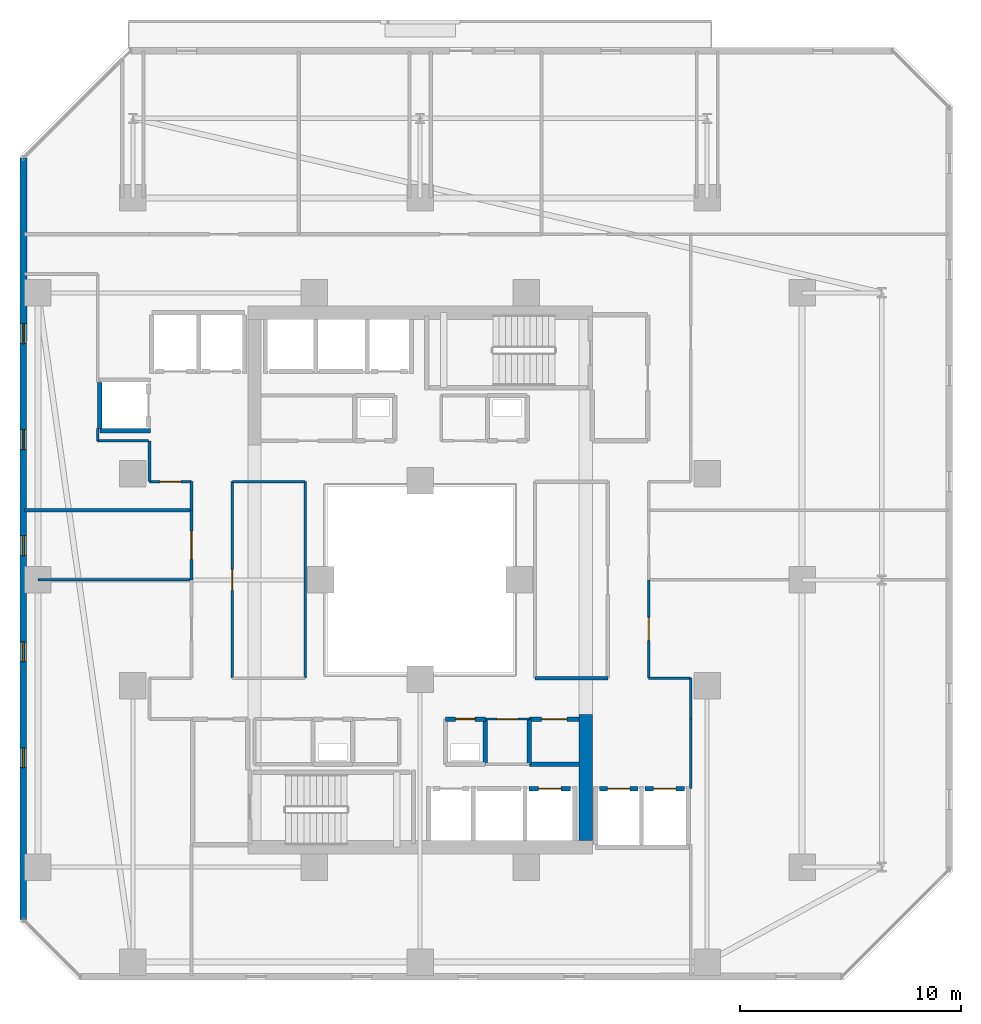
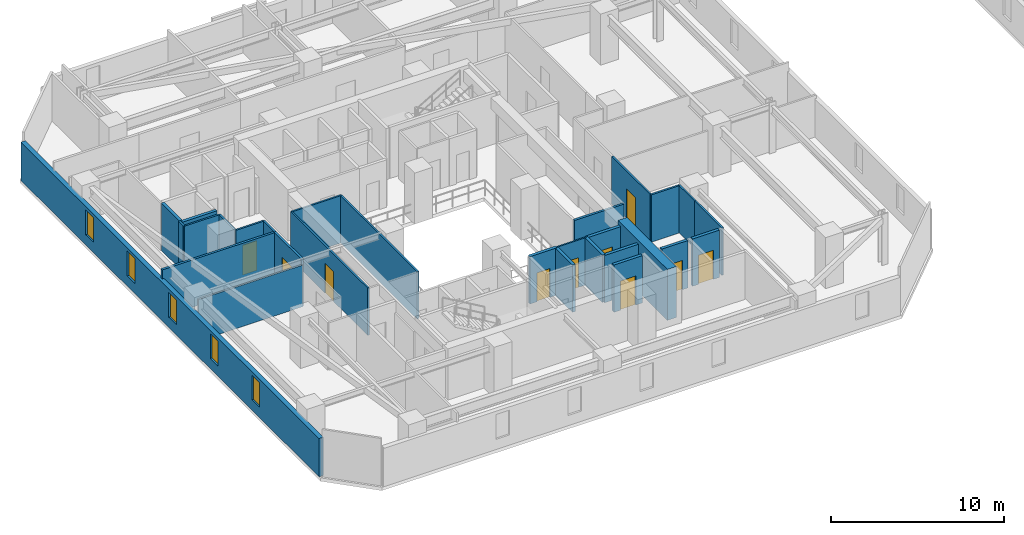
# One storey, part 17 of 31: 29 walls, 10 doors, 5 windows, 15 openings.
"""IFC4 building model written with IfcOpenShell, lengths in metres."""

from ifc_helpers import new_model, si_unit, direction, frame, frame_2d, origin, place, context, subcontext, project, spatial, rectangle, extrude, material, layer, layer_set, type_object, element, fill, save


model = new_model("IFC4")

# Units and contexts
model_context = context("Model", 3, precision=1e-05, world=origin(), true_north=direction((0.0, 1.0)))
body_context = subcontext(model_context, "Body", "Model", "MODEL_VIEW")
ifc_project = project(units=[si_unit("LENGTHUNIT", "METRE"), si_unit("AREAUNIT", "SQUARE_METRE"), si_unit("VOLUMEUNIT", "CUBIC_METRE"), si_unit("PLANEANGLEUNIT", "RADIAN"), si_unit("MASSUNIT", "GRAM", prefix="KILO")], contexts=[model_context])

# Site, building, storey
site_placement = place(None, origin())
site = spatial("IfcSite", under=ifc_project, at=site_placement, CompositionType="ELEMENT")
building_placement = place(site_placement, origin())
building = spatial("IfcBuilding", under=site, at=building_placement, Name="Thornwick Lancets Civic Towers", CompositionType="ELEMENT")
storey_placement = place(building_placement, frame((0.0, 0.0, 90.89990234375)))
storey = spatial("IfcBuildingStorey", under=building, at=storey_placement, Name="L23", CompositionType="ELEMENT", Elevation=90.89990234375)

# Wall, opening, door
ifc_material_1 = material(Name="Concrete blockwork C40/50", Category="masonry")
ifc_layer_1 = layer(ifc_material_1, 0.199951171875, Name="Concrete blockwork C40/50")
ifc_layer_set_1 = layer_set([ifc_layer_1], Name="Concrete blockwork C40/50")
wall_type_1 = type_object("IfcWallType", Name="WALL_COMP_200", PredefinedType="STANDARD", material=ifc_layer_set_1)
wall_1_placement = place(storey_placement, frame((30.429931640625, 17.550048828125, 0.0), z_axis=(0.0, 0.0, 1.0), x_axis=(1.0, 0.0, 0.0)))
wall_1 = element("IfcWall", 1, at=wall_1_placement, inside=storey, type_object=wall_type_1, Name="L23 Hoistway Front Wall PL-AL1", PredefinedType="STANDARD", context=body_context, shape_type="SweptSolid", body=[
    extrude(rectangle(XDim=1.89013671875, YDim=0.199951171875, at=frame_2d((0.945068359375, 0.0))), origin(), (0.0, 0.0, 1.0), 3.340087890625),
])
opening_1_placement = place(wall_1_placement, frame((0.43505859375, 0.0, 0.0)))
opening_1 = element("IfcOpeningElement", 2, at=opening_1_placement, cuts=wall_1, Name="Opening LD-PL-AL1", PredefinedType="OPENING", context=body_context, shape_type="SweptSolid", body=[
    extrude(rectangle(XDim=1.02001953125, YDim=2.06005859375, at=frame_2d((0.510009765625, 1.030029296875))), frame((0.0, 0.10986328125, 0.0), z_axis=(0.0, -1.0, 0.0), x_axis=(1.0, 0.0, 0.0)), (0.0, 0.0, 1.0), 0.219970703125),
])
ifc_material_2 = material(Name="Brushed bronze stainless steel", Category="steel")
door_type_1 = type_object("IfcDoorType", Name="DOOR_LIFT_SLIDE", OperationType="SLIDING_TO_LEFT", PredefinedType="DOOR", material=ifc_material_2)
door_1_placement = place(opening_1_placement, origin())
door_1 = element("IfcDoor", 3, at=door_1_placement, inside=storey, type_object=door_type_1, Name="L23 Sliding Lift Landing Door LD-PL-AL1", OperationType="SLIDING_TO_LEFT", OverallHeight=2.06005859375, OverallWidth=1.02001953125, PredefinedType="DOOR", context=body_context, shape_type="SweptSolid", body=[
    extrude(rectangle(XDim=1.02001953125, YDim=2.06005859375, at=frame_2d((0.510009765625, 1.030029296875))), frame((0.0, 0.02490234375, 0.0), z_axis=(0.0, -1.0, 0.0), x_axis=(1.0, 0.0, 0.0)), (0.0, 0.0, 1.0), 0.050048828125),
])
fill(opening_1, door_1)

wall_2_placement = place(storey_placement, frame((33.6298828125, 17.550048828125, 0.0), z_axis=(0.0, 0.0, 1.0), x_axis=(1.0, 0.0, 0.0)))
wall_2 = element("IfcWall", 4, at=wall_2_placement, inside=storey, type_object=wall_type_1, Name="L23 Hoistway Front Wall PL-AL2", PredefinedType="STANDARD", context=body_context, shape_type="SweptSolid", body=[
    extrude(rectangle(XDim=1.740234375, YDim=0.199951171875, at=frame_2d((0.8701171875, 0.0))), origin(), (0.0, 0.0, 1.0), 3.340087890625),
])
opening_2_placement = place(wall_2_placement, frame((0.360107421875, 0.0, 0.0)))
opening_2 = element("IfcOpeningElement", 5, at=opening_2_placement, cuts=wall_2, Name="Opening LD-PL-AL2", PredefinedType="OPENING", context=body_context, shape_type="SweptSolid", body=[
    extrude(rectangle(XDim=1.02001953125, YDim=2.06005859375, at=frame_2d((0.510009765625, 1.030029296875))), frame((0.0, 0.10986328125, 0.0), z_axis=(0.0, -1.0, 0.0), x_axis=(1.0, 0.0, 0.0)), (0.0, 0.0, 1.0), 0.219970703125),
])
door_2_placement = place(opening_2_placement, origin())
door_2 = element("IfcDoor", 6, at=door_2_placement, inside=storey, type_object=door_type_1, Name="L23 Sliding Lift Landing Door LD-PL-AL2", OperationType="SLIDING_TO_LEFT", OverallHeight=2.06005859375, OverallWidth=1.02001953125, PredefinedType="DOOR", context=body_context, shape_type="SweptSolid", body=[
    extrude(rectangle(XDim=1.02001953125, YDim=2.06005859375, at=frame_2d((0.510009765625, 1.030029296875))), frame((0.0, 0.02490234375, 0.0), z_axis=(0.0, -1.0, 0.0), x_axis=(1.0, 0.0, 0.0)), (0.0, 0.0, 1.0), 0.050048828125),
])
fill(opening_2, door_2)

wall_3_placement = place(storey_placement, frame((35.679931640625, 17.550048828125, 0.0), z_axis=(0.0, 0.0, 1.0), x_axis=(1.0, 0.0, 0.0)))
wall_3 = element("IfcWall", 7, at=wall_3_placement, inside=storey, type_object=wall_type_1, Name="L23 Hoistway Front Wall PL-AL3", PredefinedType="STANDARD", context=body_context, shape_type="SweptSolid", body=[
    extrude(rectangle(XDim=1.7900390625, YDim=0.199951171875, at=frame_2d((0.89501953125, 0.0))), origin(), (0.0, 0.0, 1.0), 3.340087890625),
])
opening_3_placement = place(wall_3_placement, frame((0.385009765625, 0.0, 0.0)))
opening_3 = element("IfcOpeningElement", 8, at=opening_3_placement, cuts=wall_3, Name="Opening LD-PL-AL3", PredefinedType="OPENING", context=body_context, shape_type="SweptSolid", body=[
    extrude(rectangle(XDim=1.02001953125, YDim=2.06005859375, at=frame_2d((0.510009765625, 1.030029296875))), frame((0.0, 0.10986328125, 0.0), z_axis=(0.0, -1.0, 0.0), x_axis=(1.0, 0.0, 0.0)), (0.0, 0.0, 1.0), 0.219970703125),
])
door_3_placement = place(opening_3_placement, origin())
door_3 = element("IfcDoor", 9, at=door_3_placement, inside=storey, type_object=door_type_1, Name="L23 Sliding Lift Landing Door LD-PL-AL3", OperationType="SLIDING_TO_LEFT", OverallHeight=2.06005859375, OverallWidth=1.02001953125, PredefinedType="DOOR", context=body_context, shape_type="SweptSolid", body=[
    extrude(rectangle(XDim=1.02001953125, YDim=2.06005859375, at=frame_2d((0.510009765625, 1.030029296875))), frame((0.0, 0.02490234375, 0.0), z_axis=(0.0, -1.0, 0.0), x_axis=(1.0, 0.0, 0.0)), (0.0, 0.0, 1.0), 0.050048828125),
])
fill(opening_3, door_3)

# Walls
wall_4_placement = place(storey_placement, frame((11.001953125, 33.75, 0.0), z_axis=(0.0, 0.0, 1.0), x_axis=(1.0, 0.0, 0.0)))
element("IfcWall", 10, at=wall_4_placement, inside=storey, type_object=wall_type_1, Name="L23 Hoistway Shaft Wall PL-AM3 S", PredefinedType="STANDARD", context=body_context, shape_type="SweptSolid", body=[
    extrude(rectangle(XDim=2.296142578125, YDim=0.199951171875, at=frame_2d((1.14794921875, 0.0))), origin(), (0.0, 0.0, 1.0), 3.340087890625),
])
wall_5_placement = place(storey_placement, frame((11.0, 33.862060546875, 0.0), z_axis=(0.0, 0.0, 1.0), x_axis=(0.0, 1.0, 0.0)))
element("IfcWall", 11, at=wall_5_placement, inside=storey, type_object=wall_type_1, Name="L23 Hoistway Shaft Wall PL-AM3 W", PredefinedType="STANDARD", context=body_context, shape_type="SweptSolid", body=[
    extrude(rectangle(XDim=2.075927734375, YDim=0.199951171875, at=frame_2d((1.0380859375, 0.0))), origin(), (0.0, 0.0, 1.0), 3.340087890625),
])
wall_6_placement = place(storey_placement, frame((28.449951171875, 18.64990234375, 0.0), z_axis=(0.0, 0.0, 1.0), x_axis=(0.0, 1.0, 0.0)))
element("IfcWall", 12, at=wall_6_placement, inside=storey, type_object=wall_type_1, Name="L23 Partition L23-A-DUCT1 E2", PredefinedType="STANDARD", context=body_context, shape_type="SweptSolid", body=[
    extrude(rectangle(XDim=2.050048828125, YDim=0.199951171875, at=frame_2d((1.02490234375, 0.0))), origin(), (0.0, 0.0, 1.0), 3.340087890625),
])

# Wall, opening, door
wall_7_placement = place(storey_placement, frame((28.449951171875, 20.699951171875, 0.0), z_axis=(0.0, 0.0, 1.0), x_axis=(-1.0, 0.0, 0.0)))
wall_7 = element("IfcWall", 13, at=wall_7_placement, inside=storey, type_object=wall_type_1, Name="L23 Partition L23-A-DUCT1 E3", PredefinedType="STANDARD", context=body_context, shape_type="SweptSolid", body=[
    extrude(rectangle(XDim=1.800048828125, YDim=0.199951171875, at=frame_2d((0.89990234375, 0.0))), origin(), (0.0, 0.0, 1.0), 3.340087890625),
])
opening_4_placement = place(wall_7_placement, frame((0.4599609375, 0.0, 0.0)))
opening_4 = element("IfcOpeningElement", 14, at=opening_4_placement, cuts=wall_7, Name="Opening D-L23-1059", PredefinedType="OPENING", context=body_context, shape_type="SweptSolid", body=[
    extrude(rectangle(XDim=0.8798828125, YDim=2.0400390625, at=frame_2d((0.43994140625, 1.02001953125))), frame((0.0, 0.10986328125, 0.0), z_axis=(0.0, -1.0, 0.0), x_axis=(1.0, 0.0, 0.0)), (0.0, 0.0, 1.0), 0.219970703125),
])
ifc_material_3 = material(Name="Steel riser access doorset", Category="steel")
door_type_2 = type_object("IfcDoorType", Name="DOOR_RISER_850", OperationType="NOTDEFINED", PredefinedType="DOOR", material=ifc_material_3)
door_4_placement = place(opening_4_placement, origin())
door_4 = element("IfcDoor", 15, at=door_4_placement, inside=storey, type_object=door_type_2, Name="L23 South Service Duct 1 Door", OperationType="SINGLE_SWING_RIGHT", OverallHeight=2.0400390625, OverallWidth=0.8798828125, PredefinedType="DOOR", context=body_context, shape_type="SweptSolid", body=[
    extrude(rectangle(XDim=0.8798828125, YDim=2.0400390625, at=frame_2d((0.43994140625, 1.02001953125))), frame((0.0, 0.02490234375, 0.0), z_axis=(0.0, -1.0, 0.0), x_axis=(1.0, 0.0, 0.0)), (0.0, 0.0, 1.0), 0.050048828125),
])
fill(opening_4, door_4)

# Walls
wall_8_placement = place(storey_placement, frame((32.699951171875, 18.64990234375, 0.0), z_axis=(0.0, 0.0, 1.0), x_axis=(-1.0, 0.0, 0.0)))
element("IfcWall", 16, at=wall_8_placement, inside=storey, type_object=wall_type_1, Name="L23 Partition L23-A-ITR2 E2", PredefinedType="STANDARD", context=body_context, shape_type="SweptSolid", body=[
    extrude(rectangle(XDim=2.25, YDim=0.199951171875, at=frame_2d((1.125, 0.0))), origin(), (0.0, 0.0, 1.0), 3.340087890625),
])
wall_9_placement = place(storey_placement, frame((30.449951171875, 18.64990234375, 0.0), z_axis=(0.0, 0.0, 1.0), x_axis=(0.0, 1.0, 0.0)))
element("IfcWall", 17, at=wall_9_placement, inside=storey, type_object=wall_type_1, Name="L23 Partition L23-A-ITR2 E3", PredefinedType="STANDARD", context=body_context, shape_type="SweptSolid", body=[
    extrude(rectangle(XDim=2.050048828125, YDim=0.199951171875, at=frame_2d((1.02490234375, 0.0))), origin(), (0.0, 0.0, 1.0), 3.340087890625),
])

# Wall, opening, door
wall_10_placement = place(storey_placement, frame((30.449951171875, 20.699951171875, 0.0), z_axis=(0.0, 0.0, 1.0), x_axis=(1.0, 0.0, 0.0)))
wall_10 = element("IfcWall", 18, at=wall_10_placement, inside=storey, type_object=wall_type_1, Name="L23 Partition L23-A-ITR2 E4", PredefinedType="STANDARD", context=body_context, shape_type="SweptSolid", body=[
    extrude(rectangle(XDim=2.25, YDim=0.199951171875, at=frame_2d((1.125, 0.0))), origin(), (0.0, 0.0, 1.0), 3.340087890625),
])
opening_5_placement = place(wall_10_placement, frame((0.550048828125, 0.0, 0.0)))
opening_5 = element("IfcOpeningElement", 19, at=opening_5_placement, cuts=wall_10, Name="Opening D-L23-1066", PredefinedType="OPENING", context=body_context, shape_type="SweptSolid", body=[
    extrude(rectangle(XDim=1.14990234375, YDim=2.10009765625, at=frame_2d((0.574951171875, 1.050048828125))), frame((0.0, 0.10986328125, 0.0), z_axis=(0.0, -1.0, 0.0), x_axis=(1.0, 0.0, 0.0)), (0.0, 0.0, 1.0), 0.219970703125),
])
ifc_material_4 = material(Name="Glazed fire-resisting steel", Category="steel")
door_type_3 = type_object("IfcDoorType", Name="DOOR_LOBBY_FD60", OperationType="NOTDEFINED", PredefinedType="DOOR", material=ifc_material_4)
door_5_placement = place(opening_5_placement, origin())
door_5 = element("IfcDoor", 20, at=door_5_placement, inside=storey, type_object=door_type_3, Name="L23 Tower A Statutory Core Archive Door", OperationType="SINGLE_SWING_LEFT", OverallHeight=2.10009765625, OverallWidth=1.14990234375, PredefinedType="DOOR", context=body_context, shape_type="SweptSolid", body=[
    extrude(rectangle(XDim=1.14990234375, YDim=2.10009765625, at=frame_2d((0.574951171875, 1.050048828125))), frame((0.0, 0.02490234375, 0.0), z_axis=(0.0, -1.0, 0.0), x_axis=(1.0, 0.0, 0.0)), (0.0, 0.0, 1.0), 0.050048828125),
])
fill(opening_5, door_5)

# Wall
ifc_material_5 = material(Name="Concrete C60/75", Category="concrete")
ifc_layer_2 = layer(ifc_material_5, 0.60009765625, Name="Concrete C60/75")
ifc_layer_set_2 = layer_set([ifc_layer_2], Name="Concrete C60/75")
wall_type_2 = type_object("IfcWallType", Name="WALL_CORE_600", PredefinedType="SHEAR", material=ifc_layer_set_2)
wall_11_placement = place(storey_placement, frame((33.0, 15.199951171875, 0.0), z_axis=(0.0, 0.0, 1.0), x_axis=(0.0, 1.0, 0.0)))
element("IfcWall", 21, at=wall_11_placement, inside=storey, type_object=wall_type_2, Name="L23 Split Core A1 Shear Wall E", PredefinedType="SHEAR", context=body_context, shape_type="SweptSolid", body=[
    extrude(rectangle(XDim=5.699951171875, YDim=0.60009765625, at=frame_2d((2.85009765625, 0.0))), origin(), (0.0, 0.0, 1.0), 3.60009765625),
])

# Wall, openings, windows
ifc_material_6 = material(Name="Insulated russet terracotta rainscreen on concrete C40/50", Category="masonry")
ifc_layer_3 = layer(ifc_material_6, 0.300048828125, Name="Insulated russet terracotta rainscreen on concrete C40/50")
ifc_layer_set_3 = layer_set([ifc_layer_3], Name="Insulated russet terracotta rainscreen on concrete C40/50")
wall_type_3 = type_object("IfcWallType", Name="WALL_EXT_RUSSET_300", PredefinedType="STANDARD", material=ifc_layer_set_3)
wall_12_placement = place(storey_placement, frame((7.542724609375, 46.099365234375, 0.0), z_axis=(0.0, 0.0, 1.0), x_axis=(-0.000212414941, -0.99999997744, 0.0)))
wall_12 = element("IfcWall", 22, at=wall_12_placement, inside=storey, type_object=wall_type_3, Name="L23 Tower A Terracotta Facade Wall E6", PredefinedType="STANDARD", context=body_context, shape_type="SweptSolid", body=[
    extrude(rectangle(XDim=34.480712890625, YDim=0.300048828125, at=frame_2d((17.240234375, 0.0))), origin(), (0.0, 0.0, 1.0), 2.7001953125),
])
opening_6_placement = place(wall_12_placement, frame((7.5, 0.0, 0.719970703125)))
opening_6 = element("IfcOpeningElement", 23, at=opening_6_placement, cuts=wall_12, Name="Opening WL-01", PredefinedType="OPENING", context=body_context, shape_type="SweptSolid", body=[
    extrude(rectangle(XDim=0.89990234375, YDim=1.75, at=frame_2d((0.449951171875, 0.875))), frame((0.0, 0.16015625, 0.0), z_axis=(0.0, -1.0, 0.0), x_axis=(1.0, 0.0, 0.0)), (0.0, 0.0, 1.0), 0.320068359375),
])
opening_7_placement = place(wall_12_placement, frame((12.300048828125, 0.0, 0.719970703125)))
opening_7 = element("IfcOpeningElement", 24, at=opening_7_placement, cuts=wall_12, Name="Opening WL-01", PredefinedType="OPENING", context=body_context, shape_type="SweptSolid", body=[
    extrude(rectangle(XDim=0.89990234375, YDim=1.75, at=frame_2d((0.449951171875, 0.875))), frame((0.0, 0.16015625, 0.0), z_axis=(0.0, -1.0, 0.0), x_axis=(1.0, 0.0, 0.0)), (0.0, 0.0, 1.0), 0.320068359375),
])
opening_8_placement = place(wall_12_placement, frame((17.10009765625, 0.0, 0.719970703125)))
opening_8 = element("IfcOpeningElement", 25, at=opening_8_placement, cuts=wall_12, Name="Opening WL-01", PredefinedType="OPENING", context=body_context, shape_type="SweptSolid", body=[
    extrude(rectangle(XDim=0.89990234375, YDim=1.75, at=frame_2d((0.449951171875, 0.875))), frame((0.0, 0.16015625, 0.0), z_axis=(0.0, -1.0, 0.0), x_axis=(1.0, 0.0, 0.0)), (0.0, 0.0, 1.0), 0.320068359375),
])
opening_9_placement = place(wall_12_placement, frame((21.89990234375, 0.0, 0.719970703125)))
opening_9 = element("IfcOpeningElement", 26, at=opening_9_placement, cuts=wall_12, Name="Opening WL-01", PredefinedType="OPENING", context=body_context, shape_type="SweptSolid", body=[
    extrude(rectangle(XDim=0.89990234375, YDim=1.75, at=frame_2d((0.449951171875, 0.875))), frame((0.0, 0.16015625, 0.0), z_axis=(0.0, -1.0, 0.0), x_axis=(1.0, 0.0, 0.0)), (0.0, 0.0, 1.0), 0.320068359375),
])
opening_10_placement = place(wall_12_placement, frame((26.699951171875, 0.0, 0.719970703125)))
opening_10 = element("IfcOpeningElement", 27, at=opening_10_placement, cuts=wall_12, Name="Opening WL-01", PredefinedType="OPENING", context=body_context, shape_type="SweptSolid", body=[
    extrude(rectangle(XDim=0.89990234375, YDim=1.75, at=frame_2d((0.449951171875, 0.875))), frame((0.0, 0.16015625, 0.0), z_axis=(0.0, -1.0, 0.0), x_axis=(1.0, 0.0, 0.0)), (0.0, 0.0, 1.0), 0.320068359375),
])
ifc_material_7 = material(Name="Clear low-e double glazing in bronze frame", Category="glass")
window_type = type_object("IfcWindowType", Name="WIN_LANCET_900", PartitioningType="SINGLE_PANEL", PredefinedType="WINDOW", material=ifc_material_7)
window_1_placement = place(opening_6_placement, origin())
window_1 = element("IfcWindow", 28, at=window_1_placement, inside=storey, type_object=window_type, Name="L23 Tower A Staggered Lancet Window E6-1", OverallHeight=1.75, OverallWidth=0.89990234375, PartitioningType="SINGLE_PANEL", PredefinedType="WINDOW", context=body_context, shape_type="SweptSolid", body=[
    extrude(rectangle(XDim=0.89990234375, YDim=1.75, at=frame_2d((0.449951171875, 0.875))), frame((0.0, 0.030029296875, 0.0), z_axis=(0.0, -1.0, 0.0), x_axis=(1.0, 0.0, 0.0)), (0.0, 0.0, 1.0), 0.06005859375),
])
fill(opening_6, window_1)
window_2_placement = place(opening_7_placement, origin())
window_2 = element("IfcWindow", 29, at=window_2_placement, inside=storey, type_object=window_type, Name="L23 Tower A Staggered Lancet Window E6-2", OverallHeight=1.75, OverallWidth=0.89990234375, PartitioningType="SINGLE_PANEL", PredefinedType="WINDOW", context=body_context, shape_type="SweptSolid", body=[
    extrude(rectangle(XDim=0.89990234375, YDim=1.75, at=frame_2d((0.449951171875, 0.875))), frame((0.0, 0.030029296875, 0.0), z_axis=(0.0, -1.0, 0.0), x_axis=(1.0, 0.0, 0.0)), (0.0, 0.0, 1.0), 0.06005859375),
])
fill(opening_7, window_2)
window_3_placement = place(opening_8_placement, origin())
window_3 = element("IfcWindow", 30, at=window_3_placement, inside=storey, type_object=window_type, Name="L23 Tower A Staggered Lancet Window E6-3", OverallHeight=1.75, OverallWidth=0.89990234375, PartitioningType="SINGLE_PANEL", PredefinedType="WINDOW", context=body_context, shape_type="SweptSolid", body=[
    extrude(rectangle(XDim=0.89990234375, YDim=1.75, at=frame_2d((0.449951171875, 0.875))), frame((0.0, 0.030029296875, 0.0), z_axis=(0.0, -1.0, 0.0), x_axis=(1.0, 0.0, 0.0)), (0.0, 0.0, 1.0), 0.06005859375),
])
fill(opening_8, window_3)
window_4_placement = place(opening_9_placement, origin())
window_4 = element("IfcWindow", 31, at=window_4_placement, inside=storey, type_object=window_type, Name="L23 Tower A Staggered Lancet Window E6-4", OverallHeight=1.75, OverallWidth=0.89990234375, PartitioningType="SINGLE_PANEL", PredefinedType="WINDOW", context=body_context, shape_type="SweptSolid", body=[
    extrude(rectangle(XDim=0.89990234375, YDim=1.75, at=frame_2d((0.449951171875, 0.875))), frame((0.0, 0.030029296875, 0.0), z_axis=(0.0, -1.0, 0.0), x_axis=(1.0, 0.0, 0.0)), (0.0, 0.0, 1.0), 0.06005859375),
])
fill(opening_9, window_4)
window_5_placement = place(opening_10_placement, origin())
window_5 = element("IfcWindow", 32, at=window_5_placement, inside=storey, type_object=window_type, Name="L23 Tower A Staggered Lancet Window E6-5", OverallHeight=1.75, OverallWidth=0.89990234375, PartitioningType="SINGLE_PANEL", PredefinedType="WINDOW", context=body_context, shape_type="SweptSolid", body=[
    extrude(rectangle(XDim=0.89990234375, YDim=1.75, at=frame_2d((0.449951171875, 0.875))), frame((0.0, 0.030029296875, 0.0), z_axis=(0.0, -1.0, 0.0), x_axis=(1.0, 0.0, 0.0)), (0.0, 0.0, 1.0), 0.06005859375),
])
fill(opening_10, window_5)

# Wall, opening, door
ifc_material_8 = material(Name="Lightweight cellular office partition")
ifc_layer_4 = layer(ifc_material_8, 0.10009765625, Name="Lightweight cellular office partition")
ifc_layer_set_4 = layer_set([ifc_layer_4], Name="Lightweight cellular office partition")
wall_type_4 = type_object("IfcWallType", Name="WALL_PART_100", PredefinedType="PARTITIONING", material=ifc_layer_set_4)
wall_13_placement = place(storey_placement, frame((28.449951171875, 20.699951171875, 0.0), z_axis=(0.0, 0.0, 1.0), x_axis=(1.0, 0.0, 0.0)))
wall_13 = element("IfcWall", 33, at=wall_13_placement, inside=storey, type_object=wall_type_4, Name="L23 Partition L23-A-CLN E4", PredefinedType="PARTITIONING", context=body_context, shape_type="SweptSolid", body=[
    extrude(rectangle(XDim=2.0, YDim=0.10009765625, at=frame_2d((1.0, 0.0))), origin(), (0.0, 0.0, 1.0), 3.340087890625),
])
opening_11_placement = place(wall_13_placement, frame((0.52490234375, 0.0, 0.0)))
opening_11 = element("IfcOpeningElement", 34, at=opening_11_placement, cuts=wall_13, Name="Opening D-L23-1065", PredefinedType="OPENING", context=body_context, shape_type="SweptSolid", body=[
    extrude(rectangle(XDim=0.949951171875, YDim=2.10009765625, at=frame_2d((0.47509765625, 1.050048828125))), frame((0.0, 0.06005859375, 0.0), z_axis=(0.0, -1.0, 0.0), x_axis=(1.0, 0.0, 0.0)), (0.0, 0.0, 1.0), 0.1201171875),
])
ifc_material_9 = material(Name="European oak acoustic doorset")
door_type_4 = type_object("IfcDoorType", Name="DOOR_OFFICE_950", OperationType="NOTDEFINED", PredefinedType="DOOR", material=ifc_material_9)
door_6_placement = place(opening_11_placement, origin())
door_6 = element("IfcDoor", 35, at=door_6_placement, inside=storey, type_object=door_type_4, Name="L23 Tower A Cleaners Store Door", OperationType="SINGLE_SWING_RIGHT", OverallHeight=2.10009765625, OverallWidth=0.949951171875, PredefinedType="DOOR", context=body_context, shape_type="SweptSolid", body=[
    extrude(rectangle(XDim=0.949951171875, YDim=2.10009765625, at=frame_2d((0.47509765625, 1.050048828125))), frame((0.0, 0.02490234375, 0.0), z_axis=(0.0, -1.0, 0.0), x_axis=(1.0, 0.0, 0.0)), (0.0, 0.0, 1.0), 0.050048828125),
])
fill(opening_11, door_6)

# Walls
ifc_material_10 = material(Name="Acoustic gypsum board partition")
ifc_layer_5 = layer(ifc_material_10, 0.1201171875, Name="Acoustic gypsum board partition")
ifc_layer_set_5 = layer_set([ifc_layer_5], Name="Acoustic gypsum board partition")
wall_type_5 = type_object("IfcWallType", Name="WALL_PART_120", PredefinedType="PARTITIONING", material=ifc_layer_set_5)
wall_14_placement = place(storey_placement, frame((8.199951171875, 27.0, 0.0), z_axis=(0.0, 0.0, 1.0), x_axis=(1.0, 0.0, 0.0)))
element("IfcWall", 36, at=wall_14_placement, inside=storey, type_object=wall_type_5, Name="L23 Partition L23-A-W1 E8", PredefinedType="PARTITIONING", context=body_context, shape_type="SweptSolid", body=[
    extrude(rectangle(XDim=6.949951171875, YDim=0.1201171875, at=frame_2d((3.47509765625, 0.0))), origin(), (0.0, 0.0, 1.0), 2.932373046875),
])
wall_15_placement = place(storey_placement, frame((10.89990234375, 33.300048828125, 0.0), z_axis=(0.0, 0.0, 1.0), x_axis=(1.0, 0.0, 0.0)))
element("IfcWall", 37, at=wall_15_placement, inside=storey, type_object=wall_type_5, Name="L23 Partition L23-A-W3 E1", PredefinedType="PARTITIONING", context=body_context, shape_type="SweptSolid", body=[
    extrude(rectangle(XDim=2.300048828125, YDim=0.1201171875, at=frame_2d((1.14990234375, 0.0))), origin(), (0.0, 0.0, 1.0), 3.340087890625),
])
wall_16_placement = place(storey_placement, frame((13.25, 33.300048828125, 0.0), z_axis=(0.0, 0.0, 1.0), x_axis=(0.0, -1.0, 0.0)))
element("IfcWall", 38, at=wall_16_placement, inside=storey, type_object=wall_type_5, Name="L23 Partition L23-A-W3 E3", PredefinedType="PARTITIONING", context=body_context, shape_type="SweptSolid", body=[
    extrude(rectangle(XDim=1.85009765625, YDim=0.1201171875, at=frame_2d((0.925048828125, 0.0))), origin(), (0.0, 0.0, 1.0), 3.340087890625),
])

# Wall, opening, door
wall_17_placement = place(storey_placement, frame((13.25, 31.449951171875, 0.0), z_axis=(0.0, 0.0, 1.0), x_axis=(1.0, 0.0, 0.0)))
wall_17 = element("IfcWall", 39, at=wall_17_placement, inside=storey, type_object=wall_type_5, Name="L23 Partition L23-A-W3 E4", PredefinedType="PARTITIONING", context=body_context, shape_type="SweptSolid", body=[
    extrude(rectangle(XDim=1.89990234375, YDim=0.1201171875, at=frame_2d((0.949951171875, 0.0))), origin(), (0.0, 0.0, 1.0), 3.340087890625),
])
opening_12_placement = place(wall_17_placement, frame((0.47509765625, 0.0, 0.0)))
opening_12 = element("IfcOpeningElement", 40, at=opening_12_placement, cuts=wall_17, Name="Opening D-L23-1083", PredefinedType="OPENING", context=body_context, shape_type="SweptSolid", body=[
    extrude(rectangle(XDim=0.949951171875, YDim=2.10009765625, at=frame_2d((0.47509765625, 1.050048828125))), frame((0.0, 0.070068359375, 0.0), z_axis=(0.0, -1.0, 0.0), x_axis=(1.0, 0.0, 0.0)), (0.0, 0.0, 1.0), 0.14013671875),
])
door_7_placement = place(opening_12_placement, origin())
door_7 = element("IfcDoor", 41, at=door_7_placement, inside=storey, type_object=door_type_4, Name="L23 Tower A Staff Tea Pantry and Lounge Door", OperationType="SINGLE_SWING_RIGHT", OverallHeight=2.10009765625, OverallWidth=0.949951171875, PredefinedType="DOOR", context=body_context, shape_type="SweptSolid", body=[
    extrude(rectangle(XDim=0.949951171875, YDim=2.10009765625, at=frame_2d((0.47509765625, 1.050048828125))), frame((0.0, 0.02490234375, 0.0), z_axis=(0.0, -1.0, 0.0), x_axis=(1.0, 0.0, 0.0)), (0.0, 0.0, 1.0), 0.050048828125),
])
fill(opening_12, door_7)

# Walls
wall_18_placement = place(storey_placement, frame((15.14990234375, 31.449951171875, 0.0), z_axis=(0.0, 0.0, 1.0), x_axis=(0.0, -1.0, 0.0)))
element("IfcWall", 42, at=wall_18_placement, inside=storey, type_object=wall_type_5, Name="L23 Partition L23-A-W3 E5", PredefinedType="PARTITIONING", context=body_context, shape_type="SweptSolid", body=[
    extrude(rectangle(XDim=1.300048828125, YDim=0.1201171875, at=frame_2d((0.64990234375, 0.0))), origin(), (0.0, 0.0, 1.0), 3.340087890625),
])
wall_19_placement = place(storey_placement, frame((10.89990234375, 33.862060546875, 0.0), z_axis=(0.0, 0.0, 1.0), x_axis=(0.0, -1.0, 0.0)))
element("IfcWall", 43, at=wall_19_placement, inside=storey, type_object=wall_type_5, Name="L23 Partition L23-A-W3 E13", PredefinedType="PARTITIONING", context=body_context, shape_type="SweptSolid", body=[
    extrude(rectangle(XDim=0.56201171875, YDim=0.1201171875, at=frame_2d((0.281005859375, 0.0))), origin(), (0.0, 0.0, 1.0), 3.340087890625),
])
wall_20_placement = place(storey_placement, frame((37.75, 17.550048828125, 0.0), z_axis=(0.0, 0.0, 1.0), x_axis=(0.0, 1.0, 0.0)))
element("IfcWall", 44, at=wall_20_placement, inside=storey, type_object=wall_type_5, Name="L23 Partition L23-A-E1 E1", PredefinedType="PARTITIONING", context=body_context, shape_type="SweptSolid", body=[
    extrude(rectangle(XDim=3.14990234375, YDim=0.1201171875, at=frame_2d((1.574951171875, 0.0))), origin(), (0.0, 0.0, 1.0), 3.340087890625),
])
wall_21_placement = place(storey_placement, frame((37.75, 20.699951171875, 0.0), z_axis=(0.0, 0.0, 1.0), x_axis=(0.0, 1.0, 0.0)))
element("IfcWall", 45, at=wall_21_placement, inside=storey, type_object=wall_type_5, Name="L23 Partition L23-A-E1 E2", PredefinedType="PARTITIONING", context=body_context, shape_type="SweptSolid", body=[
    extrude(rectangle(XDim=1.85009765625, YDim=0.1201171875, at=frame_2d((0.925048828125, 0.0))), origin(), (0.0, 0.0, 1.0), 3.340087890625),
])
wall_22_placement = place(storey_placement, frame((37.75, 22.550048828125, 0.0), z_axis=(0.0, 0.0, 1.0), x_axis=(-1.0, 0.0, 0.0)))
element("IfcWall", 46, at=wall_22_placement, inside=storey, type_object=wall_type_5, Name="L23 Partition L23-A-E1 E3", PredefinedType="PARTITIONING", context=body_context, shape_type="SweptSolid", body=[
    extrude(rectangle(XDim=1.89990234375, YDim=0.1201171875, at=frame_2d((0.949951171875, 0.0))), origin(), (0.0, 0.0, 1.0), 3.340087890625),
])

# Wall, opening, door
wall_23_placement = place(storey_placement, frame((35.85009765625, 22.550048828125, 0.0), z_axis=(0.0, 0.0, 1.0), x_axis=(0.0, 1.0, 0.0)))
wall_23 = element("IfcWall", 47, at=wall_23_placement, inside=storey, type_object=wall_type_5, Name="L23 Partition L23-A-E1 E4", PredefinedType="PARTITIONING", context=body_context, shape_type="SweptSolid", body=[
    extrude(rectangle(XDim=4.449951171875, YDim=0.1201171875, at=frame_2d((2.22509765625, 0.0))), origin(), (0.0, 0.0, 1.0), 3.340087890625),
])
opening_13_placement = place(wall_23_placement, frame((1.699951171875, 0.0, 0.0)))
opening_13 = element("IfcOpeningElement", 48, at=opening_13_placement, cuts=wall_23, Name="Opening D-L23-1084", PredefinedType="OPENING", context=body_context, shape_type="SweptSolid", body=[
    extrude(rectangle(XDim=1.050048828125, YDim=2.10009765625, at=frame_2d((0.52490234375, 1.050048828125))), frame((0.0, 0.070068359375, 0.0), z_axis=(0.0, -1.0, 0.0), x_axis=(1.0, 0.0, 0.0)), (0.0, 0.0, 1.0), 0.14013671875),
])
ifc_material_11 = material(Name="Glazed European oak executive doorset")
door_type_5 = type_object("IfcDoorType", Name="DOOR_OFFICE_1050", OperationType="NOTDEFINED", PredefinedType="DOOR", material=ifc_material_11)
door_8_placement = place(opening_13_placement, origin())
door_8 = element("IfcDoor", 49, at=door_8_placement, inside=storey, type_object=door_type_5, Name="L23 Tower A Secretariat Open Office E1 Door", OperationType="SINGLE_SWING_LEFT", OverallHeight=2.10009765625, OverallWidth=1.050048828125, PredefinedType="DOOR", context=body_context, shape_type="SweptSolid", body=[
    extrude(rectangle(XDim=1.050048828125, YDim=2.10009765625, at=frame_2d((0.52490234375, 1.050048828125))), frame((0.0, 0.02490234375, 0.0), z_axis=(0.0, -1.0, 0.0), x_axis=(1.0, 0.0, 0.0)), (0.0, 0.0, 1.0), 0.050048828125),
])
fill(opening_13, door_8)

wall_24_placement = place(storey_placement, frame((17.0, 22.550048828125, 0.0), z_axis=(0.0, 0.0, 1.0), x_axis=(0.0, 1.0, 0.0)))
wall_24 = element("IfcWall", 50, at=wall_24_placement, inside=storey, type_object=wall_type_5, Name="L23 Partition L23-A-ATR-W E1", PredefinedType="PARTITIONING", context=body_context, shape_type="SweptSolid", body=[
    extrude(rectangle(XDim=8.89990234375, YDim=0.1201171875, at=frame_2d((4.449951171875, 0.0))), origin(), (0.0, 0.0, 1.0), 3.340087890625),
])
opening_14_placement = place(wall_24_placement, frame((3.97509765625, 0.0, 0.0)))
opening_14 = element("IfcOpeningElement", 51, at=opening_14_placement, cuts=wall_24, Name="Opening D-L23-1088", PredefinedType="OPENING", context=body_context, shape_type="SweptSolid", body=[
    extrude(rectangle(XDim=0.949951171875, YDim=2.10009765625, at=frame_2d((0.47509765625, 1.050048828125))), frame((0.0, 0.070068359375, 0.0), z_axis=(0.0, -1.0, 0.0), x_axis=(1.0, 0.0, 0.0)), (0.0, 0.0, 1.0), 0.14013671875),
])
door_9_placement = place(opening_14_placement, origin())
door_9 = element("IfcDoor", 52, at=door_9_placement, inside=storey, type_object=door_type_4, Name="L23 Tower A West Atrium Study Lounge Door", OperationType="SINGLE_SWING_LEFT", OverallHeight=2.10009765625, OverallWidth=0.949951171875, PredefinedType="DOOR", context=body_context, shape_type="SweptSolid", body=[
    extrude(rectangle(XDim=0.949951171875, YDim=2.10009765625, at=frame_2d((0.47509765625, 1.050048828125))), frame((0.0, 0.02490234375, 0.0), z_axis=(0.0, -1.0, 0.0), x_axis=(1.0, 0.0, 0.0)), (0.0, 0.0, 1.0), 0.050048828125),
])
fill(opening_14, door_9)

# Walls
wall_25_placement = place(storey_placement, frame((17.0, 31.449951171875, 0.0), z_axis=(0.0, 0.0, 1.0), x_axis=(1.0, 0.0, 0.0)))
element("IfcWall", 53, at=wall_25_placement, inside=storey, type_object=wall_type_5, Name="L23 Partition L23-A-ATR-W E2", PredefinedType="PARTITIONING", context=body_context, shape_type="SweptSolid", body=[
    extrude(rectangle(XDim=3.300048828125, YDim=0.1201171875, at=frame_2d((1.64990234375, 0.0))), origin(), (0.0, 0.0, 1.0), 3.340087890625),
])
wall_26_placement = place(storey_placement, frame((20.300048828125, 31.449951171875, 0.0), z_axis=(0.0, 0.0, 1.0), x_axis=(0.0, -1.0, 0.0)))
element("IfcWall", 54, at=wall_26_placement, inside=storey, type_object=wall_type_5, Name="L23 Partition L23-A-ATR-W E3", PredefinedType="PARTITIONING", context=body_context, shape_type="SweptSolid", body=[
    extrude(rectangle(XDim=8.89990234375, YDim=0.1201171875, at=frame_2d((4.449951171875, 0.0))), origin(), (0.0, 0.0, 1.0), 3.340087890625),
])
ifc_material_12 = material(Name="Twin-stud acoustic gypsum board")
ifc_layer_6 = layer(ifc_material_12, 0.14990234375, Name="Twin-stud acoustic gypsum board")
ifc_layer_set_6 = layer_set([ifc_layer_6], Name="Twin-stud acoustic gypsum board")
wall_type_6 = type_object("IfcWallType", Name="WALL_PART_150", PredefinedType="PARTITIONING", material=ifc_layer_set_6)
wall_27_placement = place(storey_placement, frame((7.580078125, 30.14990234375, 0.0), z_axis=(0.0, 0.0, 1.0), x_axis=(1.0, 0.0, 0.0)))
element("IfcWall", 55, at=wall_27_placement, inside=storey, type_object=wall_type_6, Name="L23 Partition L23-A-W2 E5", PredefinedType="PARTITIONING", context=body_context, shape_type="SweptSolid", body=[
    extrude(rectangle(XDim=7.56982421875, YDim=0.14990234375, at=frame_2d((3.784912109375, 0.0))), origin(), (0.0, 0.0, 1.0), 3.340087890625),
])

# Wall, opening, door
wall_28_placement = place(storey_placement, frame((15.14990234375, 30.14990234375, 0.0), z_axis=(0.0, 0.0, 1.0), x_axis=(0.0, -1.0, 0.0)))
wall_28 = element("IfcWall", 56, at=wall_28_placement, inside=storey, type_object=wall_type_6, Name="L23 Partition L23-A-W2 E6", PredefinedType="PARTITIONING", context=body_context, shape_type="SweptSolid", body=[
    extrude(rectangle(XDim=3.14990234375, YDim=0.14990234375, at=frame_2d((1.574951171875, 0.0))), origin(), (0.0, 0.0, 1.0), 3.340087890625),
])
opening_15_placement = place(wall_28_placement, frame((0.925048828125, 0.0, 0.0)))
opening_15 = element("IfcOpeningElement", 57, at=opening_15_placement, cuts=wall_28, Name="Opening D-L23-1082", PredefinedType="OPENING", context=body_context, shape_type="SweptSolid", body=[
    extrude(rectangle(XDim=1.300048828125, YDim=2.1201171875, at=frame_2d((0.64990234375, 1.06005859375))), frame((0.0, 0.0849609375, 0.0), z_axis=(0.0, -1.0, 0.0), x_axis=(1.0, 0.0, 0.0)), (0.0, 0.0, 1.0), 0.169921875),
])
ifc_material_13 = material(Name="Acoustic oak leaf-and-a-half doorset")
door_type_6 = type_object("IfcDoorType", Name="DOOR_MEET_1300", OperationType="DOUBLE_DOOR_SINGLE_SWING", PredefinedType="DOOR", material=ifc_material_13)
door_10_placement = place(opening_15_placement, origin())
door_10 = element("IfcDoor", 58, at=door_10_placement, inside=storey, type_object=door_type_6, Name="L23 Tower A Policy Briefing Room W2 Door", OperationType="DOUBLE_DOOR_SINGLE_SWING", OverallHeight=2.1201171875, OverallWidth=1.300048828125, PredefinedType="DOOR", context=body_context, shape_type="SweptSolid", body=[
    extrude(rectangle(XDim=1.300048828125, YDim=2.1201171875, at=frame_2d((0.64990234375, 1.06005859375))), frame((0.0, 0.02490234375, 0.0), z_axis=(0.0, -1.0, 0.0), x_axis=(1.0, 0.0, 0.0)), (0.0, 0.0, 1.0), 0.050048828125),
])
fill(opening_15, door_10)

# Wall
wall_29_placement = place(storey_placement, frame((34.0, 22.550048828125, 0.0), z_axis=(0.0, 0.0, 1.0), x_axis=(-1.0, 0.0, 0.0)))
element("IfcWall", 59, at=wall_29_placement, inside=storey, type_object=wall_type_6, Name="L23 Partition L23-A-ATR-E E4", PredefinedType="PARTITIONING", context=body_context, shape_type="SweptSolid", body=[
    extrude(rectangle(XDim=3.300048828125, YDim=0.14990234375, at=frame_2d((1.64990234375, 0.0))), origin(), (0.0, 0.0, 1.0), 3.340087890625),
])

save(model, "model.ifc")
